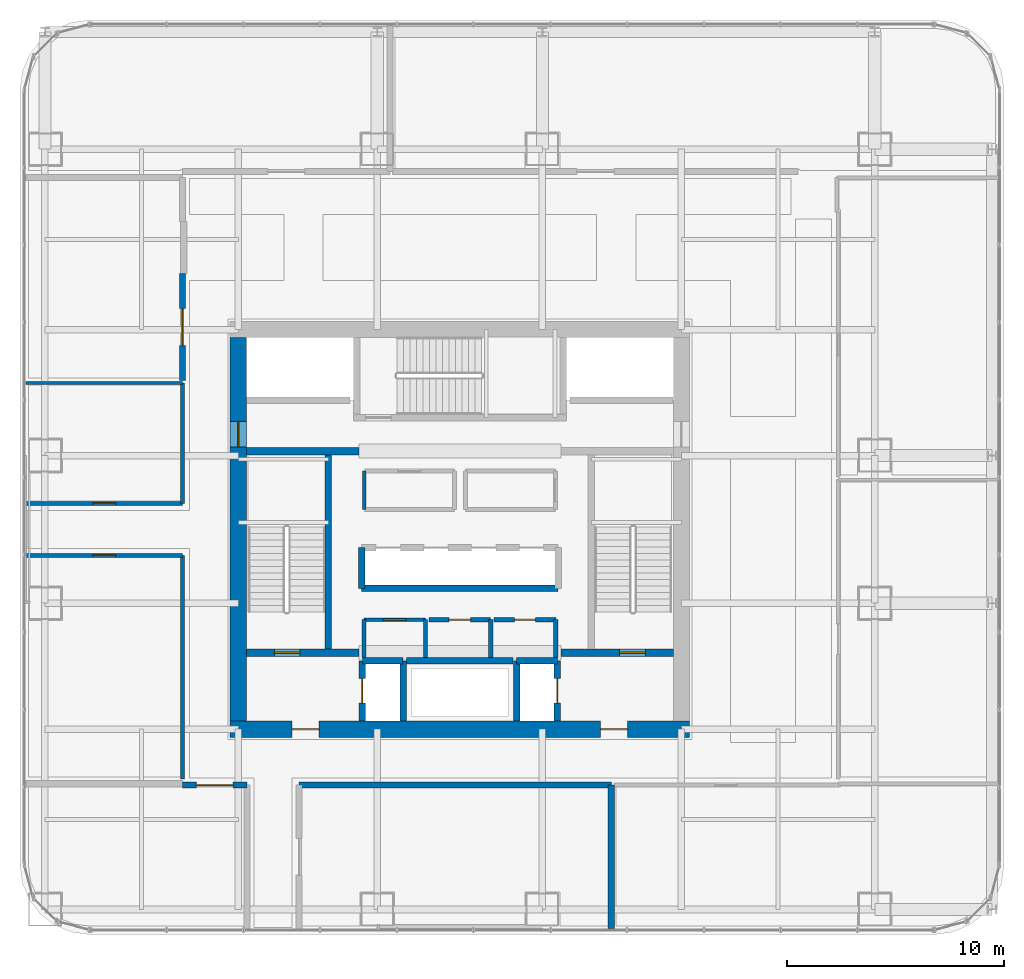
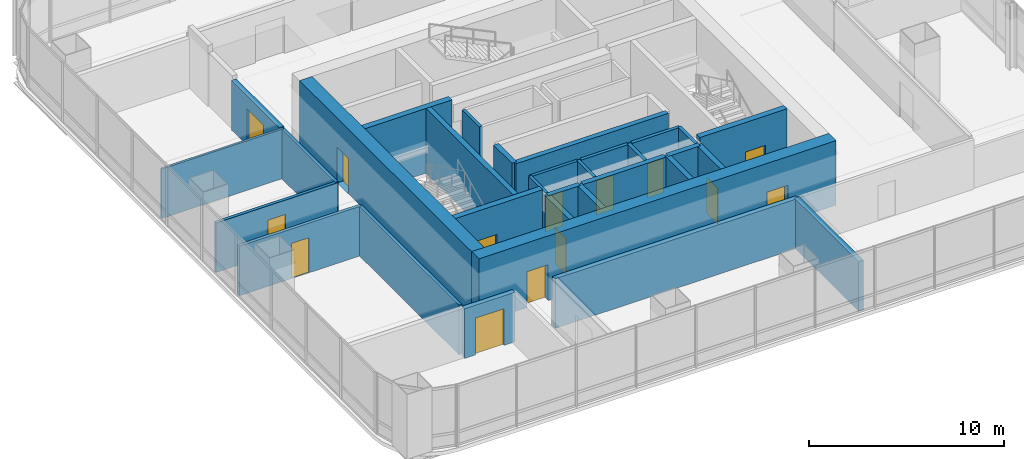
# One storey, part 27 of 34: 32 walls, 14 doors, 14 openings.
"""IFC4 building model written with IfcOpenShell, lengths in metres."""

from ifc_helpers import new_model, si_unit, direction, frame, frame_2d, origin, place, context, subcontext, project, spatial, rectangle, extrude, material, layer, layer_set, type_object, element, fill, save


model = new_model("IFC4")

# Units and contexts
model_context = context("Model", 3, precision=1e-05, world=origin(), true_north=direction((0.0, 1.0)))
body_context = subcontext(model_context, "Body", "Model", "MODEL_VIEW")
ifc_project = project(units=[si_unit("LENGTHUNIT", "METRE"), si_unit("AREAUNIT", "SQUARE_METRE"), si_unit("VOLUMEUNIT", "CUBIC_METRE"), si_unit("PLANEANGLEUNIT", "RADIAN"), si_unit("MASSUNIT", "GRAM", prefix="KILO")], contexts=[model_context])

# Site, building, storey
site_placement = place(None, origin())
site = spatial("IfcSite", under=ifc_project, at=site_placement, CompositionType="ELEMENT")
building_placement = place(site_placement, origin())
building = spatial("IfcBuilding", under=site, at=building_placement, Name="Punatoya Terracotta Tower", CompositionType="ELEMENT")
storey_placement = place(building_placement, frame((0.0, 0.0, 101.10009765625)))
storey = spatial("IfcBuildingStorey", under=building, at=storey_placement, Name="L23", CompositionType="ELEMENT", Elevation=101.10009765625)

# Walls
ifc_material_1 = material(Name="Concrete C40/50", Category="concrete")
ifc_layer_1 = layer(ifc_material_1, 0.280029296875)
ifc_layer_set_1 = layer_set([ifc_layer_1], Name="Concrete C40/50")
wall_type_1 = type_object("IfcWallType", Name="WL-AUD-280", PredefinedType="SOLIDWALL", material=ifc_layer_set_1)
wall_1_placement = place(storey_placement, frame((-7.39990234375, -11.77001953125, 0.0), z_axis=(0.0, 0.0, 1.0), x_axis=(1.0, 0.0, 0.0)))
element("IfcWall", 1, at=wall_1_placement, inside=storey, type_object=wall_type_1, Name="L23 Open-Plan Client Dining Salon Partition 17", PredefinedType="SOLIDWALL", context=body_context, shape_type="SweptSolid", body=[
    extrude(rectangle(XDim=14.369873046875, YDim=0.280029296875, at=frame_2d((7.18505859375, 0.0))), origin(), (0.0, 0.0, 1.0), 3.10400390625),
])
wall_2_placement = place(storey_placement, frame((6.969970703125, -11.77001953125, 0.0), z_axis=(0.0, 0.0, 1.0), x_axis=(0.0, -1.0, 0.0)))
element("IfcWall", 2, at=wall_2_placement, inside=storey, type_object=wall_type_1, Name="L23 Open-Plan Client Dining Salon Partition 18", PredefinedType="SOLIDWALL", context=body_context, shape_type="SweptSolid", body=[
    extrude(rectangle(XDim=6.60009765625, YDim=0.280029296875, at=frame_2d((3.300048828125, 0.0))), origin(), (0.0, 0.0, 1.0), 3.10400390625),
])

# Wall, opening, door
wall_3_placement = place(storey_placement, frame((-12.77001953125, -11.77001953125, 0.0), z_axis=(0.0, 0.0, 1.0), x_axis=(1.0, 0.0, 0.0)))
wall_3 = element("IfcWall", 3, at=wall_3_placement, inside=storey, type_object=wall_type_1, Name="L23 Open-Plan Executive Bistro Lounge Partition 20", PredefinedType="SOLIDWALL", context=body_context, shape_type="SweptSolid", body=[
    extrude(rectangle(XDim=2.969970703125, YDim=0.280029296875, at=frame_2d((1.48486328125, 0.0))), origin(), (0.0, 0.0, 1.0), 3.10400390625),
])
opening_1_placement = place(wall_3_placement, frame((0.635009765625, 0.0, 0.0)))
opening_1 = element("IfcOpeningElement", 4, at=opening_1_placement, cuts=wall_3, Name="Opening FD-D1", PredefinedType="OPENING", context=body_context, shape_type="SweptSolid", body=[
    extrude(rectangle(XDim=1.699951171875, YDim=2.300048828125, at=frame_2d((0.85009765625, 1.14990234375))), frame((0.0, 0.14990234375, 0.0), z_axis=(0.0, -1.0, 0.0), x_axis=(1.0, 0.0, 0.0)), (0.0, 0.0, 1.0), 0.300048828125),
])
ifc_material_2 = material(Name="Timber Teak Veneer Fire Leaf", Category="wood")
door_type_1 = type_object("IfcDoorType", Name="DR-DIN-1700", OperationType="NOTDEFINED", PredefinedType="DOOR", material=ifc_material_2)
door_1_placement = place(opening_1_placement, origin())
door_1 = element("IfcDoor", 5, at=door_1_placement, inside=storey, type_object=door_type_1, Name="L23 Open-Plan Executive Bistro Lounge Fire Door", OperationType="DOUBLE_DOOR_SINGLE_SWING", OverallHeight=2.300048828125, OverallWidth=1.699951171875, PredefinedType="DOOR", context=body_context, shape_type="SweptSolid", body=[
    extrude(rectangle(XDim=1.699951171875, YDim=2.300048828125, at=frame_2d((0.85009765625, 1.14990234375))), frame((0.0, 0.02490234375, 0.0), z_axis=(0.0, -1.0, 0.0), x_axis=(1.0, 0.0, 0.0)), (0.0, 0.0, 1.0), 0.050048828125),
])
fill(opening_1, door_1)

wall_4_placement = place(storey_placement, frame((-12.77001953125, 11.77001953125, 0.0), z_axis=(0.0, 0.0, 1.0), x_axis=(0.0, -1.0, 0.0)))
wall_4 = element("IfcWall", 6, at=wall_4_placement, inside=storey, type_object=wall_type_1, Name="L23 Waterfront Club Lounge Partition 35", PredefinedType="SOLIDWALL", context=body_context, shape_type="SweptSolid", body=[
    extrude(rectangle(XDim=4.912109375, YDim=0.280029296875, at=frame_2d((2.4560546875, 0.0))), origin(), (0.0, 0.0, 1.0), 3.10400390625),
])
opening_2_placement = place(wall_4_placement, frame((1.60595703125, 0.0, 0.0)))
opening_2 = element("IfcOpeningElement", 7, at=opening_2_placement, cuts=wall_4, Name="Opening FD-D1", PredefinedType="OPENING", context=body_context, shape_type="SweptSolid", body=[
    extrude(rectangle(XDim=1.699951171875, YDim=2.300048828125, at=frame_2d((0.85009765625, 1.14990234375))), frame((0.0, 0.14990234375, 0.0), z_axis=(0.0, -1.0, 0.0), x_axis=(1.0, 0.0, 0.0)), (0.0, 0.0, 1.0), 0.300048828125),
])
door_2_placement = place(opening_2_placement, origin())
door_2 = element("IfcDoor", 8, at=door_2_placement, inside=storey, type_object=door_type_1, Name="L23 Waterfront Club Lounge Fire Door", OperationType="DOUBLE_DOOR_SINGLE_SWING", OverallHeight=2.300048828125, OverallWidth=1.699951171875, PredefinedType="DOOR", context=body_context, shape_type="SweptSolid", body=[
    extrude(rectangle(XDim=1.699951171875, YDim=2.300048828125, at=frame_2d((0.85009765625, 1.14990234375))), frame((0.0, 0.02490234375, 0.0), z_axis=(0.0, -1.0, 0.0), x_axis=(1.0, 0.0, 0.0)), (0.0, 0.0, 1.0), 0.050048828125),
])
fill(opening_2, door_2)

# Wall, openings, doors
ifc_material_3 = material(Name="Concrete C60/75", Category="concrete")
ifc_layer_2 = layer(ifc_material_3, 0.75)
ifc_layer_set_2 = layer_set([ifc_layer_2], Name="Concrete C60/75")
wall_type_2 = type_object("IfcWallType", Name="WL-COR-750", PredefinedType="SHEAR", material=ifc_layer_set_2)
wall_5_placement = place(storey_placement, frame((10.574951171875, -9.199951171875, 0.0), z_axis=(0.0, 0.0, 1.0), x_axis=(-1.0, 0.0, 0.0)))
wall_5 = element("IfcWall", 9, at=wall_5_placement, inside=storey, type_object=wall_type_2, Name="L23 Core Shear Wall S", PredefinedType="SHEAR", context=body_context, shape_type="SweptSolid", body=[
    extrude(rectangle(XDim=21.14990234375, YDim=0.75, at=frame_2d((10.574951171875, 0.0))), origin(), (0.0, 0.0, 1.0), 4.0498046875),
])
opening_3_placement = place(wall_5_placement, frame((2.85009765625, 0.0, 0.0)))
opening_3 = element("IfcOpeningElement", 10, at=opening_3_placement, cuts=wall_5, Name="Opening FD-L1", PredefinedType="OPENING", context=body_context, shape_type="SweptSolid", body=[
    extrude(rectangle(XDim=1.25, YDim=2.25, at=frame_2d((0.625, 1.125))), frame((0.0, 0.385009765625, 0.0), z_axis=(0.0, -1.0, 0.0), x_axis=(1.0, 0.0, 0.0)), (0.0, 0.0, 1.0), 0.77001953125),
])
opening_4_placement = place(wall_5_placement, frame((17.050048828125, 0.0, 0.0)))
opening_4 = element("IfcOpeningElement", 11, at=opening_4_placement, cuts=wall_5, Name="Opening FD-L1", PredefinedType="OPENING", context=body_context, shape_type="SweptSolid", body=[
    extrude(rectangle(XDim=1.25, YDim=2.25, at=frame_2d((0.625, 1.125))), frame((0.0, 0.385009765625, 0.0), z_axis=(0.0, -1.0, 0.0), x_axis=(1.0, 0.0, 0.0)), (0.0, 0.0, 1.0), 0.77001953125),
])
ifc_material_4 = material(Name="Galvanised Steel Smokeproof Fire Door", Category="steel")
door_type_2 = type_object("IfcDoorType", Name="DR-FFL-1250", OperationType="NOTDEFINED", PredefinedType="DOOR", material=ifc_material_4)
door_3_placement = place(opening_3_placement, origin())
door_3 = element("IfcDoor", 12, at=door_3_placement, inside=storey, type_object=door_type_2, Name="L23 East Firefighting Lobby Corridor Fire Door", OperationType="SINGLE_SWING_LEFT", OverallHeight=2.25, OverallWidth=1.25, PredefinedType="DOOR", context=body_context, shape_type="SweptSolid", body=[
    extrude(rectangle(XDim=1.25, YDim=2.25, at=frame_2d((0.625, 1.125))), frame((0.0, 0.02490234375, 0.0), z_axis=(0.0, -1.0, 0.0), x_axis=(1.0, 0.0, 0.0)), (0.0, 0.0, 1.0), 0.050048828125),
])
fill(opening_3, door_3)
door_4_placement = place(opening_4_placement, origin())
door_4 = element("IfcDoor", 13, at=door_4_placement, inside=storey, type_object=door_type_2, Name="L23 West Firefighting Lobby Corridor Fire Door", OperationType="SINGLE_SWING_RIGHT", OverallHeight=2.25, OverallWidth=1.25, PredefinedType="DOOR", context=body_context, shape_type="SweptSolid", body=[
    extrude(rectangle(XDim=1.25, YDim=2.25, at=frame_2d((0.625, 1.125))), frame((0.0, 0.02490234375, 0.0), z_axis=(0.0, -1.0, 0.0), x_axis=(1.0, 0.0, 0.0)), (0.0, 0.0, 1.0), 0.050048828125),
])
fill(opening_4, door_4)

# Wall, opening, door
wall_6_placement = place(storey_placement, frame((-10.199951171875, -8.824951171875, 0.0), z_axis=(0.0, 0.0, 1.0), x_axis=(0.0, 1.0, 0.0)))
wall_6 = element("IfcWall", 14, at=wall_6_placement, inside=storey, type_object=wall_type_2, Name="L23 Core Shear Wall W", PredefinedType="SHEAR", context=body_context, shape_type="SweptSolid", body=[
    extrude(rectangle(XDim=17.64990234375, YDim=0.75, at=frame_2d((8.824951171875, 0.0))), origin(), (0.0, 0.0, 1.0), 4.0498046875),
])
opening_5_placement = place(wall_6_placement, frame((12.614990234375, 0.0, 0.0)))
opening_5 = element("IfcOpeningElement", 15, at=opening_5_placement, cuts=wall_6, Name="Opening SD-01", PredefinedType="OPENING", context=body_context, shape_type="SweptSolid", body=[
    extrude(rectangle(XDim=1.179931640625, YDim=2.199951171875, at=frame_2d((0.58984375, 1.10009765625))), frame((0.0, 0.385009765625, 0.0), z_axis=(0.0, -1.0, 0.0), x_axis=(1.0, 0.0, 0.0)), (0.0, 0.0, 1.0), 0.77001953125),
])
ifc_material_5 = material(Name="Galvanised Steel Pressurized Stair Fire Door", Category="steel")
door_type_3 = type_object("IfcDoorType", Name="DR-STR-1180", OperationType="NOTDEFINED", PredefinedType="DOOR", material=ifc_material_5)
door_5_placement = place(opening_5_placement, origin())
door_5 = element("IfcDoor", 16, at=door_5_placement, inside=storey, type_object=door_type_3, Name="L23 Central Lift Lobby West Fire Door", OperationType="SINGLE_SWING_LEFT", OverallHeight=2.199951171875, OverallWidth=1.179931640625, PredefinedType="DOOR", context=body_context, shape_type="SweptSolid", body=[
    extrude(rectangle(XDim=1.179931640625, YDim=2.199951171875, at=frame_2d((0.58984375, 1.10009765625))), frame((0.0, 0.02490234375, 0.0), z_axis=(0.0, -1.0, 0.0), x_axis=(1.0, 0.0, 0.0)), (0.0, 0.0, 1.0), 0.050048828125),
])
fill(opening_5, door_5)

# Wall
ifc_material_6 = material(Name="Gypsum Fireboard + Steel Stud", Category="steel")
ifc_layer_3 = layer(ifc_material_6, 0.179931640625)
ifc_layer_set_3 = layer_set([ifc_layer_3], Name="Gypsum Fireboard + Steel Stud")
wall_type_3 = type_object("IfcWallType", Name="WL-CORR-180", PredefinedType="PARTITIONING", material=ifc_layer_set_3)
wall_7_placement = place(storey_placement, frame((-1.580078125, -5.89990234375, 0.0), z_axis=(0.0, 0.0, 1.0), x_axis=(0.0, 1.0, 0.0)))
element("IfcWall", 17, at=wall_7_placement, inside=storey, type_object=wall_type_3, Name="L23 Core Quiet Wellness Room Partition 01", PredefinedType="PARTITIONING", context=body_context, shape_type="SweptSolid", body=[
    extrude(rectangle(XDim=1.739990234375, YDim=0.179931640625, at=frame_2d((0.8701171875, 0.0))), origin(), (0.0, 0.0, 1.0), 3.809814453125),
])

# Wall, opening, door
wall_8_placement = place(storey_placement, frame((-1.580078125, -4.159912109375, 0.0), z_axis=(0.0, 0.0, 1.0), x_axis=(-1.0, 0.0, 0.0)))
wall_8 = element("IfcWall", 18, at=wall_8_placement, inside=storey, type_object=wall_type_3, Name="L23 Core Quiet Wellness Room Partition 02", PredefinedType="PARTITIONING", context=body_context, shape_type="SweptSolid", body=[
    extrude(rectangle(XDim=2.83984375, YDim=0.179931640625, at=frame_2d((1.419921875, 0.0))), origin(), (0.0, 0.0, 1.0), 3.809814453125),
])
opening_6_placement = place(wall_8_placement, frame((0.89501953125, 0.0, 0.0)))
opening_6 = element("IfcOpeningElement", 19, at=opening_6_placement, cuts=wall_8, Name="Opening OD-01", PredefinedType="OPENING", context=body_context, shape_type="SweptSolid", body=[
    extrude(rectangle(XDim=1.050048828125, YDim=2.199951171875, at=frame_2d((0.52490234375, 1.10009765625))), frame((0.0, 0.099853515625, 0.0), z_axis=(0.0, -1.0, 0.0), x_axis=(1.0, 0.0, 0.0)), (0.0, 0.0, 1.0), 0.199951171875),
])
ifc_material_7 = material(Name="Bengal Teak Solid-Core Leaf")
door_type_4 = type_object("IfcDoorType", Name="DR-OFF-1050", OperationType="NOTDEFINED", PredefinedType="DOOR", material=ifc_material_7)
door_6_placement = place(opening_6_placement, origin())
door_6 = element("IfcDoor", 20, at=door_6_placement, inside=storey, type_object=door_type_4, Name="L23 Quiet Wellness Room Door", OperationType="SINGLE_SWING_RIGHT", OverallHeight=2.199951171875, OverallWidth=1.050048828125, PredefinedType="DOOR", context=body_context, shape_type="SweptSolid", body=[
    extrude(rectangle(XDim=1.050048828125, YDim=2.199951171875, at=frame_2d((0.52490234375, 1.10009765625))), frame((0.0, 0.02490234375, 0.0), z_axis=(0.0, -1.0, 0.0), x_axis=(1.0, 0.0, 0.0)), (0.0, 0.0, 1.0), 0.050048828125),
])
fill(opening_6, door_6)

# Walls
wall_9_placement = place(storey_placement, frame((-4.419921875, -4.159912109375, 0.0), z_axis=(0.0, 0.0, 1.0), x_axis=(0.0, -1.0, 0.0)))
element("IfcWall", 21, at=wall_9_placement, inside=storey, type_object=wall_type_3, Name="L23 Core Quiet Wellness Room Partition 03", PredefinedType="PARTITIONING", context=body_context, shape_type="SweptSolid", body=[
    extrude(rectangle(XDim=1.739990234375, YDim=0.179931640625, at=frame_2d((0.8701171875, 0.0))), origin(), (0.0, 0.0, 1.0), 3.809814453125),
])
wall_10_placement = place(storey_placement, frame((-4.39990234375, 2.679931640625, 0.0), z_axis=(0.0, 0.0, 1.0), x_axis=(0.0, -1.0, 0.0)))
element("IfcWall", 22, at=wall_10_placement, inside=storey, type_object=wall_type_3, Name="L23 West Core Focus Pod Partition 10", PredefinedType="PARTITIONING", context=body_context, shape_type="SweptSolid", body=[
    extrude(rectangle(XDim=1.760009765625, YDim=0.179931640625, at=frame_2d((0.8798828125, 0.0))), origin(), (0.0, 0.0, 1.0), 3.809814453125),
])

# Wall, opening, door
wall_11_placement = place(storey_placement, frame((-19.969970703125, -1.199951171875, 0.0), z_axis=(0.0, 0.0, 1.0), x_axis=(1.0, 0.0, 0.0)))
wall_11 = element("IfcWall", 23, at=wall_11_placement, inside=storey, type_object=wall_type_3, Name="L23 Open-Plan Visitor Reception Salon Partition 24", PredefinedType="PARTITIONING", context=body_context, shape_type="SweptSolid", body=[
    extrude(rectangle(XDim=7.199951171875, YDim=0.179931640625, at=frame_2d((3.60009765625, 0.0))), origin(), (0.0, 0.0, 1.0), 3.10400390625),
])
opening_7_placement = place(wall_11_placement, frame((3.074951171875, 0.0, 0.0)))
opening_7 = element("IfcOpeningElement", 24, at=opening_7_placement, cuts=wall_11, Name="Opening OD-01", PredefinedType="OPENING", context=body_context, shape_type="SweptSolid", body=[
    extrude(rectangle(XDim=1.050048828125, YDim=2.199951171875, at=frame_2d((0.52490234375, 1.10009765625))), frame((0.0, 0.099853515625, 0.0), z_axis=(0.0, -1.0, 0.0), x_axis=(1.0, 0.0, 0.0)), (0.0, 0.0, 1.0), 0.199951171875),
])
door_7_placement = place(opening_7_placement, origin())
door_7 = element("IfcDoor", 25, at=door_7_placement, inside=storey, type_object=door_type_4, Name="L23 Open-Plan Visitor Reception Salon Door", OperationType="SINGLE_SWING_RIGHT", OverallHeight=2.199951171875, OverallWidth=1.050048828125, PredefinedType="DOOR", context=body_context, shape_type="SweptSolid", body=[
    extrude(rectangle(XDim=1.050048828125, YDim=2.199951171875, at=frame_2d((0.52490234375, 1.10009765625))), frame((0.0, 0.02490234375, 0.0), z_axis=(0.0, -1.0, 0.0), x_axis=(1.0, 0.0, 0.0)), (0.0, 0.0, 1.0), 0.050048828125),
])
fill(opening_7, door_7)

# Wall
wall_12_placement = place(storey_placement, frame((-12.77001953125, -1.199951171875, 0.0), z_axis=(0.0, 0.0, 1.0), x_axis=(0.0, -1.0, 0.0)))
element("IfcWall", 26, at=wall_12_placement, inside=storey, type_object=wall_type_3, Name="L23 Open-Plan Visitor Reception Salon Partition 25", PredefinedType="PARTITIONING", context=body_context, shape_type="SweptSolid", body=[
    extrude(rectangle(XDim=10.2900390625, YDim=0.179931640625, at=frame_2d((5.14501953125, 0.0))), origin(), (0.0, 0.0, 1.0), 3.10400390625),
])

# Wall, opening, door
wall_13_placement = place(storey_placement, frame((-12.77001953125, 1.199951171875, 0.0), z_axis=(0.0, 0.0, 1.0), x_axis=(-1.0, 0.0, 0.0)))
wall_13 = element("IfcWall", 27, at=wall_13_placement, inside=storey, type_object=wall_type_3, Name="L23 Open-Plan Wellness Relaxation Lounge Partition 28", PredefinedType="PARTITIONING", context=body_context, shape_type="SweptSolid", body=[
    extrude(rectangle(XDim=7.199951171875, YDim=0.179931640625, at=frame_2d((3.60009765625, 0.0))), origin(), (0.0, 0.0, 1.0), 3.10400390625),
])
opening_8_placement = place(wall_13_placement, frame((3.074951171875, 0.0, 0.0)))
opening_8 = element("IfcOpeningElement", 28, at=opening_8_placement, cuts=wall_13, Name="Opening OD-01", PredefinedType="OPENING", context=body_context, shape_type="SweptSolid", body=[
    extrude(rectangle(XDim=1.050048828125, YDim=2.199951171875, at=frame_2d((0.52490234375, 1.10009765625))), frame((0.0, 0.099853515625, 0.0), z_axis=(0.0, -1.0, 0.0), x_axis=(1.0, 0.0, 0.0)), (0.0, 0.0, 1.0), 0.199951171875),
])
door_8_placement = place(opening_8_placement, origin())
door_8 = element("IfcDoor", 29, at=door_8_placement, inside=storey, type_object=door_type_4, Name="L23 Open-Plan Wellness Relaxation Lounge Door", OperationType="SINGLE_SWING_RIGHT", OverallHeight=2.199951171875, OverallWidth=1.050048828125, PredefinedType="DOOR", context=body_context, shape_type="SweptSolid", body=[
    extrude(rectangle(XDim=1.050048828125, YDim=2.199951171875, at=frame_2d((0.52490234375, 1.10009765625))), frame((0.0, 0.02490234375, 0.0), z_axis=(0.0, -1.0, 0.0), x_axis=(1.0, 0.0, 0.0)), (0.0, 0.0, 1.0), 0.050048828125),
])
fill(opening_8, door_8)

# Walls
wall_14_placement = place(storey_placement, frame((-12.77001953125, 6.738037109375, 0.0), z_axis=(0.0, 0.0, 1.0), x_axis=(0.0, -1.0, 0.0)))
element("IfcWall", 30, at=wall_14_placement, inside=storey, type_object=wall_type_3, Name="L23 Open-Plan Wellness Relaxation Lounge Partition 30", PredefinedType="PARTITIONING", context=body_context, shape_type="SweptSolid", body=[
    extrude(rectangle(XDim=5.5380859375, YDim=0.179931640625, at=frame_2d((2.76904296875, 0.0))), origin(), (0.0, 0.0, 1.0), 3.10400390625),
])
ifc_layer_4 = layer(ifc_material_1, 0.199951171875)
ifc_layer_set_4 = layer_set([ifc_layer_4], Name="Concrete C40/50")
wall_type_4 = type_object("IfcWallType", Name="WL-INT-200", PredefinedType="SOLIDWALL", material=ifc_layer_set_4)
wall_15_placement = place(storey_placement, frame((1.419921875, -5.89990234375, 0.0), z_axis=(0.0, 0.0, 1.0), x_axis=(0.0, 1.0, 0.0)))
element("IfcWall", 31, at=wall_15_placement, inside=storey, type_object=wall_type_4, Name="L23 Accessible Universal Washroom Partition 04", PredefinedType="SOLIDWALL", context=body_context, shape_type="SweptSolid", body=[
    extrude(rectangle(XDim=1.739990234375, YDim=0.199951171875, at=frame_2d((0.8701171875, 0.0))), origin(), (0.0, 0.0, 1.0), 3.809814453125),
])

# Wall, opening, door
wall_16_placement = place(storey_placement, frame((1.419921875, -4.159912109375, 0.0), z_axis=(0.0, 0.0, 1.0), x_axis=(-1.0, 0.0, 0.0)))
wall_16 = element("IfcWall", 32, at=wall_16_placement, inside=storey, type_object=wall_type_4, Name="L23 Accessible Universal Washroom Partition 05", PredefinedType="SOLIDWALL", context=body_context, shape_type="SweptSolid", body=[
    extrude(rectangle(XDim=2.83984375, YDim=0.199951171875, at=frame_2d((1.419921875, 0.0))), origin(), (0.0, 0.0, 1.0), 3.809814453125),
])
opening_9_placement = place(wall_16_placement, frame((0.919921875, 0.0, 0.0)))
opening_9 = element("IfcOpeningElement", 33, at=opening_9_placement, cuts=wall_16, Name="Opening AWD-1", PredefinedType="OPENING", context=body_context, shape_type="SweptSolid", body=[
    extrude(rectangle(XDim=1.0, YDim=2.14990234375, at=frame_2d((0.5, 1.074951171875))), frame((0.0, 0.10986328125, 0.0), z_axis=(0.0, -1.0, 0.0), x_axis=(1.0, 0.0, 0.0)), (0.0, 0.0, 1.0), 0.219970703125),
])
ifc_material_8 = material(Name="Bengal Teak Accessible WC Leaf")
door_type_5 = type_object("IfcDoorType", Name="DR-ACC-1000", OperationType="NOTDEFINED", PredefinedType="DOOR", material=ifc_material_8)
door_9_placement = place(opening_9_placement, origin())
door_9 = element("IfcDoor", 34, at=door_9_placement, inside=storey, type_object=door_type_5, Name="L23 Accessible Universal Washroom Door", OperationType="SINGLE_SWING_LEFT", OverallHeight=2.14990234375, OverallWidth=1.0, PredefinedType="DOOR", context=body_context, shape_type="SweptSolid", body=[
    extrude(rectangle(XDim=1.0, YDim=2.14990234375, at=frame_2d((0.5, 1.074951171875))), frame((0.0, 0.02490234375, 0.0), z_axis=(0.0, -1.0, 0.0), x_axis=(1.0, 0.0, 0.0)), (0.0, 0.0, 1.0), 0.050048828125),
])
fill(opening_9, door_9)

# Wall
wall_17_placement = place(storey_placement, frame((4.419921875, -5.89990234375, 0.0), z_axis=(0.0, 0.0, 1.0), x_axis=(0.0, 1.0, 0.0)))
element("IfcWall", 35, at=wall_17_placement, inside=storey, type_object=wall_type_4, Name="L23 All-Gender Washroom Partition 06", PredefinedType="SOLIDWALL", context=body_context, shape_type="SweptSolid", body=[
    extrude(rectangle(XDim=1.739990234375, YDim=0.199951171875, at=frame_2d((0.8701171875, 0.0))), origin(), (0.0, 0.0, 1.0), 3.809814453125),
])

# Wall, opening, door
wall_18_placement = place(storey_placement, frame((4.419921875, -4.159912109375, 0.0), z_axis=(0.0, 0.0, 1.0), x_axis=(-1.0, 0.0, 0.0)))
wall_18 = element("IfcWall", 36, at=wall_18_placement, inside=storey, type_object=wall_type_4, Name="L23 All-Gender Washroom Partition 07", PredefinedType="SOLIDWALL", context=body_context, shape_type="SweptSolid", body=[
    extrude(rectangle(XDim=2.83984375, YDim=0.199951171875, at=frame_2d((1.419921875, 0.0))), origin(), (0.0, 0.0, 1.0), 3.809814453125),
])
opening_10_placement = place(wall_18_placement, frame((0.945068359375, 0.0, 0.0)))
opening_10 = element("IfcOpeningElement", 37, at=opening_10_placement, cuts=wall_18, Name="Opening WD-01", PredefinedType="OPENING", context=body_context, shape_type="SweptSolid", body=[
    extrude(rectangle(XDim=0.949951171875, YDim=2.14990234375, at=frame_2d((0.47509765625, 1.074951171875))), frame((0.0, 0.10986328125, 0.0), z_axis=(0.0, -1.0, 0.0), x_axis=(1.0, 0.0, 0.0)), (0.0, 0.0, 1.0), 0.219970703125),
])
ifc_material_9 = material(Name="Moisture-Resistant Laminate Timber Leaf", Category="wood")
door_type_6 = type_object("IfcDoorType", Name="DR-WC-950", OperationType="NOTDEFINED", PredefinedType="DOOR", material=ifc_material_9)
door_10_placement = place(opening_10_placement, origin())
door_10 = element("IfcDoor", 38, at=door_10_placement, inside=storey, type_object=door_type_6, Name="L23 All-Gender Washroom Door", OperationType="SINGLE_SWING_RIGHT", OverallHeight=2.14990234375, OverallWidth=0.949951171875, PredefinedType="DOOR", context=body_context, shape_type="SweptSolid", body=[
    extrude(rectangle(XDim=0.949951171875, YDim=2.14990234375, at=frame_2d((0.47509765625, 1.074951171875))), frame((0.0, 0.02490234375, 0.0), z_axis=(0.0, -1.0, 0.0), x_axis=(1.0, 0.0, 0.0)), (0.0, 0.0, 1.0), 0.050048828125),
])
fill(opening_10, door_10)

# Walls
ifc_material_10 = material(Name="Gypsum Partition + Steel Stud", Category="steel")
ifc_layer_5 = layer(ifc_material_10, 0.1201171875)
ifc_layer_set_5 = layer_set([ifc_layer_5], Name="Gypsum Partition + Steel Stud")
wall_type_5 = type_object("IfcWallType", Name="WL-OFF-120", PredefinedType="PARTITIONING", material=ifc_layer_set_5)
wall_19_placement = place(storey_placement, frame((-19.969970703125, 6.738037109375, 0.0), z_axis=(0.0, 0.0, 1.0), x_axis=(1.0, 0.0, 0.0)))
element("IfcWall", 39, at=wall_19_placement, inside=storey, type_object=wall_type_5, Name="L23 Open-Plan Wellness Relaxation Lounge Partition 29", PredefinedType="PARTITIONING", context=body_context, shape_type="SweptSolid", body=[
    extrude(rectangle(XDim=7.199951171875, YDim=0.1201171875, at=frame_2d((3.60009765625, 0.0))), origin(), (0.0, 0.0, 1.0), 3.10400390625),
])
ifc_layer_6 = layer(ifc_material_1, 0.300048828125)
ifc_layer_set_6 = layer_set([ifc_layer_6], Name="Concrete C40/50")
wall_type_6 = type_object("IfcWallType", Name="WL-SHF-300", PredefinedType="SOLIDWALL", material=ifc_layer_set_6)
wall_20_placement = place(storey_placement, frame((-6.050048828125, -5.5, 0.0), z_axis=(0.0, 0.0, 1.0), x_axis=(0.0, 1.0, 0.0)))
element("IfcWall", 40, at=wall_20_placement, inside=storey, type_object=wall_type_6, Name="L23 Structural Stair Shaft Wall SW-ST1-E", PredefinedType="SOLIDWALL", context=body_context, shape_type="SweptSolid", body=[
    extrude(rectangle(XDim=8.949951171875, YDim=0.300048828125, at=frame_2d((4.47509765625, 0.0))), origin(), (0.0, 0.0, 1.0), 4.0498046875),
])

# Wall, opening, door
wall_21_placement = place(storey_placement, frame((-4.489990234375, -8.820068359375, 0.0), z_axis=(0.0, 0.0, 1.0), x_axis=(0.0, 1.0, 0.0)))
wall_21 = element("IfcWall", 41, at=wall_21_placement, inside=storey, type_object=wall_type_6, Name="L23 FFL-1 Front Hoistway Wall", PredefinedType="SOLIDWALL", context=body_context, shape_type="SweptSolid", body=[
    extrude(rectangle(XDim=2.77001953125, YDim=0.300048828125, at=frame_2d((1.385009765625, 0.0))), origin(), (0.0, 0.0, 1.0), 3.809814453125),
])
opening_11_placement = place(wall_21_placement, frame((0.824951171875, 0.0, 0.0)))
opening_11 = element("IfcOpeningElement", 42, at=opening_11_placement, cuts=wall_21, Name="Opening LD-02", PredefinedType="OPENING", context=body_context, shape_type="SweptSolid", body=[
    extrude(rectangle(XDim=1.1201171875, YDim=2.25, at=frame_2d((0.56005859375, 1.125))), frame((0.0, 0.159912109375, 0.0), z_axis=(0.0, -1.0, 0.0), x_axis=(1.0, 0.0, 0.0)), (0.0, 0.0, 1.0), 0.320068359375),
])
ifc_material_11 = material(Name="Stainless Steel Lift Landing Door", Category="steel")
door_type_7 = type_object("IfcDoorType", Name="DR-LND-1120", OperationType="NOTDEFINED", PredefinedType="DOOR", material=ifc_material_11)
door_11_placement = place(opening_11_placement, origin())
door_11 = element("IfcDoor", 43, at=door_11_placement, inside=storey, type_object=door_type_7, Name="L23 Firefighting Lift FFL-1 Sliding Landing Door", OperationType="SLIDING_TO_LEFT", OverallHeight=2.25, OverallWidth=1.1201171875, PredefinedType="DOOR", context=body_context, shape_type="SweptSolid", body=[
    extrude(rectangle(XDim=1.1201171875, YDim=2.25, at=frame_2d((0.56005859375, 1.125))), frame((0.0, 0.02490234375, 0.0), z_axis=(0.0, -1.0, 0.0), x_axis=(1.0, 0.0, 0.0)), (0.0, 0.0, 1.0), 0.050048828125),
])
fill(opening_11, door_11)

# Walls
wall_22_placement = place(storey_placement, frame((-2.610107421875, -8.820068359375, 0.0), z_axis=(0.0, 0.0, 1.0), x_axis=(0.0, 1.0, 0.0)))
element("IfcWall", 44, at=wall_22_placement, inside=storey, type_object=wall_type_6, Name="L23 FFL-1 Rear Hoistway Wall", PredefinedType="SOLIDWALL", context=body_context, shape_type="SweptSolid", body=[
    extrude(rectangle(XDim=2.77001953125, YDim=0.300048828125, at=frame_2d((1.385009765625, 0.0))), origin(), (0.0, 0.0, 1.0), 3.809814453125),
])
wall_23_placement = place(storey_placement, frame((-4.489990234375, -6.050048828125, 0.0), z_axis=(0.0, 0.0, 1.0), x_axis=(1.0, 0.0, 0.0)))
element("IfcWall", 45, at=wall_23_placement, inside=storey, type_object=wall_type_6, Name="L23 FFL-1 North Hoistway Wall", PredefinedType="SOLIDWALL", context=body_context, shape_type="SweptSolid", body=[
    extrude(rectangle(XDim=1.8798828125, YDim=0.300048828125, at=frame_2d((0.93994140625, 0.0))), origin(), (0.0, 0.0, 1.0), 3.809814453125),
])

# Wall, opening, door
wall_24_placement = place(storey_placement, frame((4.489990234375, -8.820068359375, 0.0), z_axis=(0.0, 0.0, 1.0), x_axis=(0.0, 1.0, 0.0)))
wall_24 = element("IfcWall", 46, at=wall_24_placement, inside=storey, type_object=wall_type_6, Name="L23 FFL-2 Front Hoistway Wall", PredefinedType="SOLIDWALL", context=body_context, shape_type="SweptSolid", body=[
    extrude(rectangle(XDim=2.77001953125, YDim=0.300048828125, at=frame_2d((1.385009765625, 0.0))), origin(), (0.0, 0.0, 1.0), 3.809814453125),
])
opening_12_placement = place(wall_24_placement, frame((0.824951171875, 0.0, 0.0)))
opening_12 = element("IfcOpeningElement", 47, at=opening_12_placement, cuts=wall_24, Name="Opening LD-02", PredefinedType="OPENING", context=body_context, shape_type="SweptSolid", body=[
    extrude(rectangle(XDim=1.1201171875, YDim=2.25, at=frame_2d((0.56005859375, 1.125))), frame((0.0, 0.159912109375, 0.0), z_axis=(0.0, -1.0, 0.0), x_axis=(1.0, 0.0, 0.0)), (0.0, 0.0, 1.0), 0.320068359375),
])
door_12_placement = place(opening_12_placement, origin())
door_12 = element("IfcDoor", 48, at=door_12_placement, inside=storey, type_object=door_type_7, Name="L23 Firefighting Lift FFL-2 Sliding Landing Door", OperationType="SLIDING_TO_RIGHT", OverallHeight=2.25, OverallWidth=1.1201171875, PredefinedType="DOOR", context=body_context, shape_type="SweptSolid", body=[
    extrude(rectangle(XDim=1.1201171875, YDim=2.25, at=frame_2d((0.56005859375, 1.125))), frame((0.0, 0.02490234375, 0.0), z_axis=(0.0, -1.0, 0.0), x_axis=(1.0, 0.0, 0.0)), (0.0, 0.0, 1.0), 0.050048828125),
])
fill(opening_12, door_12)

# Walls
wall_25_placement = place(storey_placement, frame((2.610107421875, -8.820068359375, 0.0), z_axis=(0.0, 0.0, 1.0), x_axis=(0.0, 1.0, 0.0)))
element("IfcWall", 49, at=wall_25_placement, inside=storey, type_object=wall_type_6, Name="L23 FFL-2 Rear Hoistway Wall", PredefinedType="SOLIDWALL", context=body_context, shape_type="SweptSolid", body=[
    extrude(rectangle(XDim=2.77001953125, YDim=0.300048828125, at=frame_2d((1.385009765625, 0.0))), origin(), (0.0, 0.0, 1.0), 3.809814453125),
])
wall_26_placement = place(storey_placement, frame((2.610107421875, -6.050048828125, 0.0), z_axis=(0.0, 0.0, 1.0), x_axis=(1.0, 0.0, 0.0)))
element("IfcWall", 50, at=wall_26_placement, inside=storey, type_object=wall_type_6, Name="L23 FFL-2 North Hoistway Wall", PredefinedType="SOLIDWALL", context=body_context, shape_type="SweptSolid", body=[
    extrude(rectangle(XDim=1.8798828125, YDim=0.300048828125, at=frame_2d((0.93994140625, 0.0))), origin(), (0.0, 0.0, 1.0), 3.809814453125),
])
wall_27_placement = place(storey_placement, frame((-4.52001953125, -2.719970703125, 0.0), z_axis=(0.0, 0.0, 1.0), x_axis=(1.0, 0.0, 0.0)))
element("IfcWall", 51, at=wall_27_placement, inside=storey, type_object=wall_type_6, Name="L23 South Lift Bank Rear Shaft Wall", PredefinedType="SOLIDWALL", context=body_context, shape_type="SweptSolid", body=[
    extrude(rectangle(XDim=9.0400390625, YDim=0.300048828125, at=frame_2d((4.52001953125, 0.0))), origin(), (0.0, 0.0, 1.0), 3.809814453125),
])
wall_28_placement = place(storey_placement, frame((-4.52001953125, -2.719970703125, 0.0), z_axis=(0.0, 0.0, 1.0), x_axis=(0.0, 1.0, 0.0)))
element("IfcWall", 52, at=wall_28_placement, inside=storey, type_object=wall_type_6, Name="L23 South Lift Bank West End Wall", PredefinedType="SOLIDWALL", context=body_context, shape_type="SweptSolid", body=[
    extrude(rectangle(XDim=1.8798828125, YDim=0.300048828125, at=frame_2d((0.93994140625, 0.0))), origin(), (0.0, 0.0, 1.0), 3.809814453125),
])
wall_29_placement = place(storey_placement, frame((-2.449951171875, -6.050048828125, 0.0), z_axis=(0.0, 0.0, 1.0), x_axis=(1.0, 0.0, 0.0)))
element("IfcWall", 53, at=wall_29_placement, inside=storey, type_object=wall_type_6, Name="L23 Observation Shuttle Rear Hoistway Wall", PredefinedType="SOLIDWALL", context=body_context, shape_type="SweptSolid", body=[
    extrude(rectangle(XDim=4.89990234375, YDim=0.300048828125, at=frame_2d((2.449951171875, 0.0))), origin(), (0.0, 0.0, 1.0), 3.809814453125),
])

# Wall, opening, door
ifc_material_12 = material(Name="Concrete C50/60", Category="concrete")
ifc_layer_7 = layer(ifc_material_12, 0.35009765625)
ifc_layer_set_7 = layer_set([ifc_layer_7], Name="Concrete C50/60")
wall_type_7 = type_object("IfcWallType", Name="WL-SHF-350", PredefinedType="SOLIDWALL", material=ifc_layer_set_7)
wall_30_placement = place(storey_placement, frame((-9.824951171875, -5.679931640625, 0.0), z_axis=(0.0, 0.0, 1.0), x_axis=(1.0, 0.0, 0.0)))
wall_30 = element("IfcWall", 54, at=wall_30_placement, inside=storey, type_object=wall_type_7, Name="L23 Core Web Wall CSW-L", PredefinedType="SOLIDWALL", context=body_context, shape_type="SweptSolid", body=[
    extrude(rectangle(XDim=5.175048828125, YDim=0.35009765625, at=frame_2d((2.58740234375, 0.0))), origin(), (0.0, 0.0, 1.0), 4.0498046875),
])
opening_13_placement = place(wall_30_placement, frame((1.284912109375, 0.0, 0.0)))
opening_13 = element("IfcOpeningElement", 55, at=opening_13_placement, cuts=wall_30, Name="Opening SD-01", PredefinedType="OPENING", context=body_context, shape_type="SweptSolid", body=[
    extrude(rectangle(XDim=1.179931640625, YDim=2.199951171875, at=frame_2d((0.58984375, 1.10009765625))), frame((0.0, 0.18505859375, 0.0), z_axis=(0.0, -1.0, 0.0), x_axis=(1.0, 0.0, 0.0)), (0.0, 0.0, 1.0), 0.3701171875),
])
door_13_placement = place(opening_13_placement, origin())
door_13 = element("IfcDoor", 56, at=door_13_placement, inside=storey, type_object=door_type_3, Name="L23 Stair ST-1 Smokeproof Lobby Fire Door", OperationType="SINGLE_SWING_LEFT", OverallHeight=2.199951171875, OverallWidth=1.179931640625, PredefinedType="DOOR", context=body_context, shape_type="SweptSolid", body=[
    extrude(rectangle(XDim=1.179931640625, YDim=2.199951171875, at=frame_2d((0.58984375, 1.10009765625))), frame((0.0, 0.02490234375, 0.0), z_axis=(0.0, -1.0, 0.0), x_axis=(1.0, 0.0, 0.0)), (0.0, 0.0, 1.0), 0.050048828125),
])
fill(opening_13, door_13)

wall_31_placement = place(storey_placement, frame((4.64990234375, -5.679931640625, 0.0), z_axis=(0.0, 0.0, 1.0), x_axis=(1.0, 0.0, 0.0)))
wall_31 = element("IfcWall", 57, at=wall_31_placement, inside=storey, type_object=wall_type_7, Name="L23 Core Web Wall CSW-R", PredefinedType="SOLIDWALL", context=body_context, shape_type="SweptSolid", body=[
    extrude(rectangle(XDim=5.175048828125, YDim=0.35009765625, at=frame_2d((2.58740234375, 0.0))), origin(), (0.0, 0.0, 1.0), 4.0498046875),
])
opening_14_placement = place(wall_31_placement, frame((2.7099609375, 0.0, 0.0)))
opening_14 = element("IfcOpeningElement", 58, at=opening_14_placement, cuts=wall_31, Name="Opening SD-01", PredefinedType="OPENING", context=body_context, shape_type="SweptSolid", body=[
    extrude(rectangle(XDim=1.179931640625, YDim=2.199951171875, at=frame_2d((0.58984375, 1.10009765625))), frame((0.0, 0.18505859375, 0.0), z_axis=(0.0, -1.0, 0.0), x_axis=(1.0, 0.0, 0.0)), (0.0, 0.0, 1.0), 0.3701171875),
])
door_14_placement = place(opening_14_placement, origin())
door_14 = element("IfcDoor", 59, at=door_14_placement, inside=storey, type_object=door_type_3, Name="L23 Stair ST-2 Smokeproof Lobby Fire Door", OperationType="SINGLE_SWING_RIGHT", OverallHeight=2.199951171875, OverallWidth=1.179931640625, PredefinedType="DOOR", context=body_context, shape_type="SweptSolid", body=[
    extrude(rectangle(XDim=1.179931640625, YDim=2.199951171875, at=frame_2d((0.58984375, 1.10009765625))), frame((0.0, 0.02490234375, 0.0), z_axis=(0.0, -1.0, 0.0), x_axis=(1.0, 0.0, 0.0)), (0.0, 0.0, 1.0), 0.050048828125),
])
fill(opening_14, door_14)

# Wall
wall_32_placement = place(storey_placement, frame((-9.824951171875, 3.60009765625, 0.0), z_axis=(0.0, 0.0, 1.0), x_axis=(1.0, 0.0, 0.0)))
element("IfcWall", 60, at=wall_32_placement, inside=storey, type_object=wall_type_7, Name="L23 Core Web Wall CNW-L", PredefinedType="SOLIDWALL", context=body_context, shape_type="SweptSolid", body=[
    extrude(rectangle(XDim=5.175048828125, YDim=0.35009765625, at=frame_2d((2.58740234375, 0.0))), origin(), (0.0, 0.0, 1.0), 4.0498046875),
])

save(model, "model.ifc")
